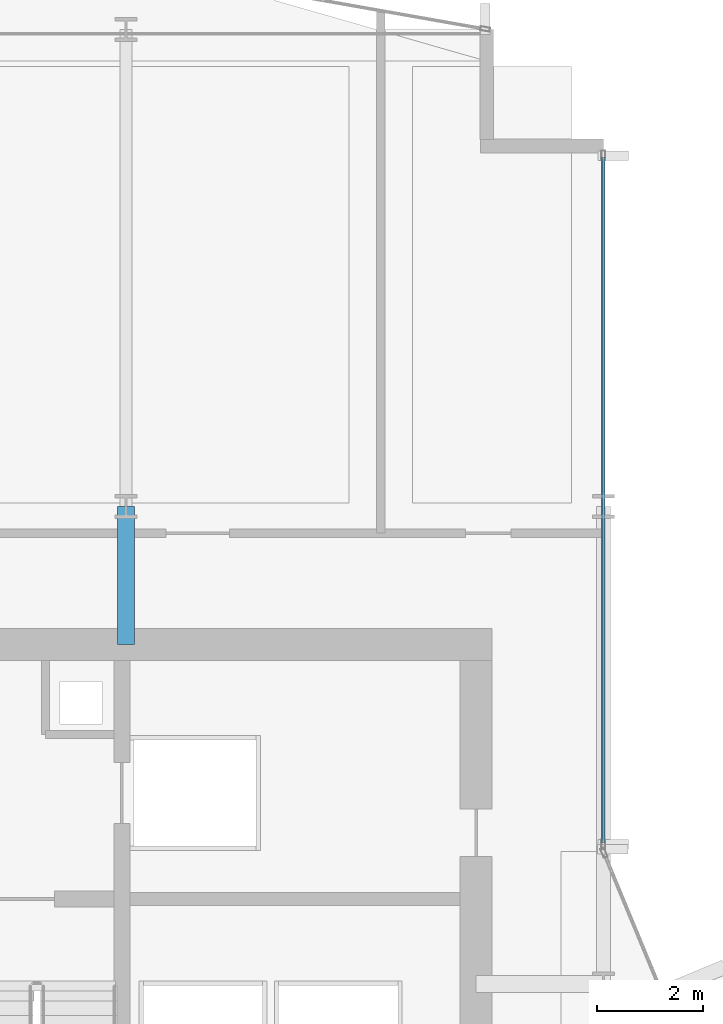
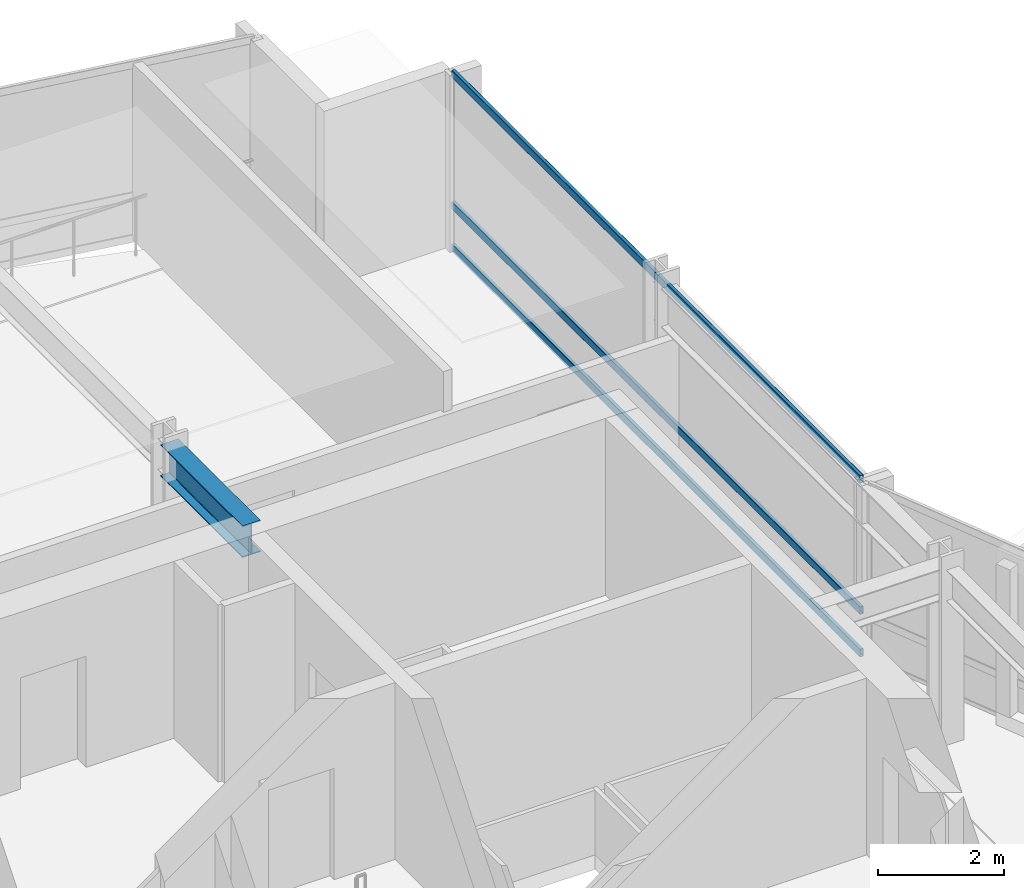
# One storey, part 18 of 29: 3 members, 1 beam, 1 element without a shape of its own.
"""IFC4 building model written with IfcOpenShell, lengths in metres."""

from ifc_helpers import new_model, si_unit, direction, frame, origin, origin_2d, place, context, subcontext, project, spatial, hollow_rectangle, i_section, extrude, material, layer, layer_set, material_profile, profile_set, type_object, element, aggregate, save


model = new_model("IFC4")

# Units and contexts
model_context = context("Model", 3, precision=1e-05, world=origin(), true_north=direction((0.0, 1.0)))
body_context = subcontext(model_context, "Body", "Model", "MODEL_VIEW")
ifc_project = project(units=[si_unit("LENGTHUNIT", "METRE"), si_unit("AREAUNIT", "SQUARE_METRE"), si_unit("VOLUMEUNIT", "CUBIC_METRE"), si_unit("PLANEANGLEUNIT", "RADIAN"), si_unit("MASSUNIT", "GRAM", prefix="KILO")], contexts=[model_context])

# Site, building, storey
site_placement = place(None, origin())
site = spatial("IfcSite", under=ifc_project, at=site_placement, CompositionType="ELEMENT")
building_placement = place(site_placement, origin())
building = spatial("IfcBuilding", under=site, at=building_placement, Name="Solvaryn Broadcast Tower", CompositionType="ELEMENT")
storey_placement = place(building_placement, frame((0.0, 0.0, 121.10009765625)))
storey = spatial("IfcBuildingStorey", under=building, at=storey_placement, Name="L29", CompositionType="ELEMENT", Elevation=121.10009765625)

# Beam
ifc_material_1 = material(Name="Steel ASTM A992 Grade 50", Category="steel")
ifc_material_profile_1 = material_profile(ifc_material_1, i_section(OverallWidth=0.323974609375, OverallDepth=0.611083984375, WebThickness=0.0126953125, FlangeThickness=0.01904296875, FilletRadius=0.014892578125, at=origin_2d()))
ifc_profile_set_1 = profile_set([ifc_material_profile_1], Name="Steel ASTM A992 Grade 50")
beam_type = type_object("IfcBeamType", Name="BM-B1-W24X104", PredefinedType="BEAM", material=ifc_profile_set_1)
beam_placement = place(storey_placement, frame((18.0, 42.39990234375, 3.114501953125), z_axis=(0.0, 1.0, 0.0), x_axis=(-1.0, 0.0, 0.0)))
element("IfcBeam", 1, at=beam_placement, inside=storey, type_object=beam_type, Name="L29 Core Tie Beam CTW3", PredefinedType="BEAM", context=body_context, shape_type="SweptSolid", body=[
    extrude(i_section(OverallWidth=0.323974609375, OverallDepth=0.611083984375, WebThickness=0.0126953125, FlangeThickness=0.01904296875, FilletRadius=0.014892578125, at=origin_2d()), origin(), (0.0, 0.0, 1.0), 2.60009765625),
])

# Curtain wall, members
ifc_material_2 = material(Name="Aluminium and Terracotta Unitised Curtain Wall", Category="masonry")
ifc_layer = layer(ifc_material_2, 0.199951171875)
ifc_layer_set = layer_set([ifc_layer], Name="CW-SYS2-LOWMID")
curtain_wall_type = type_object("IfcCurtainWallType", Name="CW-SYS2-LOWMID", PredefinedType="NOTDEFINED", material=ifc_layer_set)
curtain_wall_placement = place(storey_placement, origin())
curtain_wall = element("IfcCurtainWall", 2, at=curtain_wall_placement, inside=storey, type_object=curtain_wall_type, Name="L29 Curtain Wall IV", PredefinedType="NOTDEFINED")
ifc_material_3 = material(Name="Anodised Aluminium 6063-T6", Category="aluminium")
ifc_material_profile_2 = material_profile(ifc_material_3, hollow_rectangle(XDim=0.06494140625, YDim=0.14990234375, WallThickness=0.00390625, InnerFilletRadius=0.00390625, OuterFilletRadius=0.008056640625, at=origin_2d()))
ifc_profile_set_2 = profile_set([ifc_material_profile_2], Name="Anodised Aluminium 6063-T6")
member_type = type_object("IfcMemberType", Name="CW-TRN-150", PredefinedType="USERDEFINED", material=ifc_profile_set_2)
member_1_placement = place(storey_placement, frame((27.0, 51.590087890625, 0.02978515625), z_axis=(0.0, -1.0, 0.0), x_axis=(1.0, 0.0, 0.0)))
member_1 = element("IfcMember", 3, at=member_1_placement, type_object=member_type, Name="CWS2 transom 1.1", ObjectType="TRANSOM", PredefinedType="USERDEFINED", context=body_context, shape_type="SweptSolid", body=[
    extrude(hollow_rectangle(XDim=0.06494140625, YDim=0.14990234375, WallThickness=0.00390625, InnerFilletRadius=0.00390625, OuterFilletRadius=0.008056640625, at=origin_2d()), origin(), (0.0, 0.0, 1.0), 12.93017578125),
])
member_2_placement = place(storey_placement, frame((27.0, 51.590087890625, 0.849853515625), z_axis=(0.0, -1.0, 0.0), x_axis=(1.0, 0.0, 0.0)))
member_2 = element("IfcMember", 4, at=member_2_placement, type_object=member_type, Name="CWS2 transom 1.2", ObjectType="TRANSOM", PredefinedType="USERDEFINED", context=body_context, shape_type="SweptSolid", body=[
    extrude(hollow_rectangle(XDim=0.06494140625, YDim=0.14990234375, WallThickness=0.00390625, InnerFilletRadius=0.00390625, OuterFilletRadius=0.008056640625, at=origin_2d()), origin(), (0.0, 0.0, 1.0), 12.93017578125),
])
member_3_placement = place(storey_placement, frame((27.0, 51.590087890625, 3.389892578125), z_axis=(0.0, -1.0, 0.0), x_axis=(1.0, 0.0, 0.0)))
member_3 = element("IfcMember", 5, at=member_3_placement, type_object=member_type, Name="CWS2 transom 1.3", ObjectType="TRANSOM", PredefinedType="USERDEFINED", context=body_context, shape_type="SweptSolid", body=[
    extrude(hollow_rectangle(XDim=0.06494140625, YDim=0.14990234375, WallThickness=0.00390625, InnerFilletRadius=0.00390625, OuterFilletRadius=0.008056640625, at=origin_2d()), origin(), (0.0, 0.0, 1.0), 12.93017578125),
])
aggregate(curtain_wall, [member_1, member_2, member_3])

save(model, "model.ifc")
